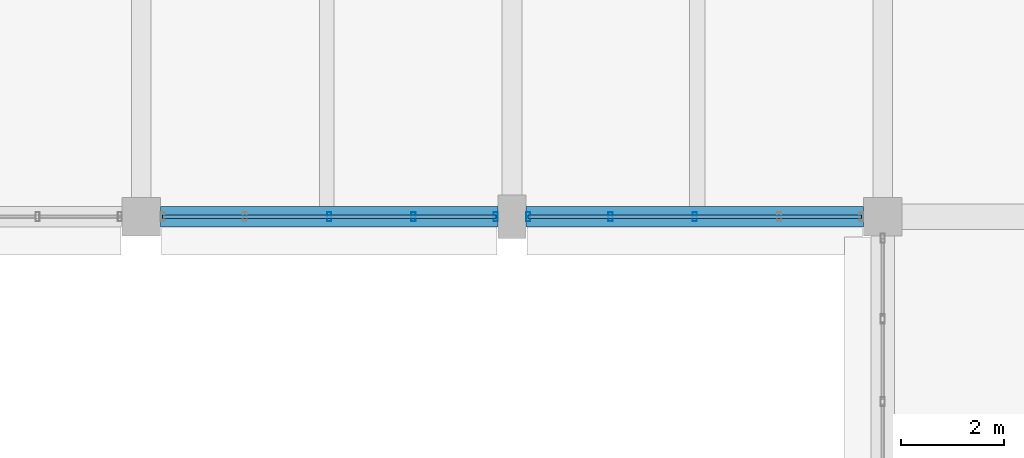
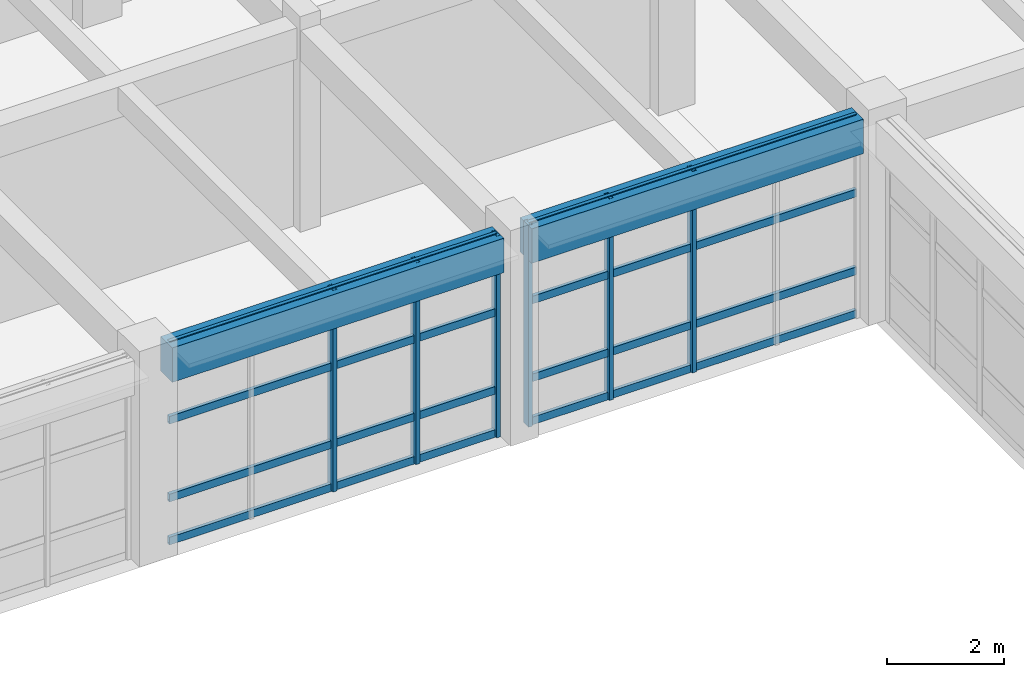
# One storey, part 77 of 171: 14 members, 2 beams, 2 elements without a shape of their own.
"""IFC4 building model written with IfcOpenShell, lengths in metres."""

from ifc_helpers import new_model, si_unit, direction, frame, origin, origin_2d, place, context, subcontext, project, spatial, rectangle, hollow_rectangle, extrude, material, material_profile, profile_set, type_object, element, aggregate, save


model = new_model("IFC4")

# Units and contexts
model_context = context("Model", 3, precision=1e-05, world=origin(), true_north=direction((0.0, 1.0)))
body_context = subcontext(model_context, "Body", "Model", "MODEL_VIEW")
ifc_project = project(units=[si_unit("LENGTHUNIT", "METRE"), si_unit("AREAUNIT", "SQUARE_METRE"), si_unit("VOLUMEUNIT", "CUBIC_METRE"), si_unit("PLANEANGLEUNIT", "RADIAN"), si_unit("MASSUNIT", "GRAM", prefix="KILO")], contexts=[model_context])

# Site, building, storey
site_placement = place(None, origin())
site = spatial("IfcSite", under=ifc_project, at=site_placement, CompositionType="ELEMENT")
building_placement = place(site_placement, origin())
building = spatial("IfcBuilding", under=site, at=building_placement, Name="Thalmaran Polytechnic", CompositionType="ELEMENT")
storey_placement = place(building_placement, frame((0.0, 0.0, 5.39990234375)))
storey = spatial("IfcBuildingStorey", under=building, at=storey_placement, Name="L01", CompositionType="ELEMENT", Elevation=5.39990234375)

# Beams
ifc_material_1 = material(Name="Concrete C40/50", Category="concrete")
ifc_material_profile_1 = material_profile(ifc_material_1, rectangle(XDim=0.39990234375, YDim=0.719970703125, at=origin_2d()), Name="RC 400x720")
ifc_profile_set_1 = profile_set([ifc_material_profile_1], Name="Concrete C40/50")
beam_type = type_object("IfcBeamType", Name="BM-SP01", PredefinedType="SPANDREL", material=ifc_profile_set_1)
for number, where, z_axis, x_axis, name in (
    (1, (115.574951171875, 93.60009765625, 3.85009765625), (1.0, 0.0, 0.0), (0.0, 1.0, 0.0), "Grid Beam SP01 L01 X(16,13)"),
    (2, (122.675048828125, 93.60009765625, 3.85009765625), (1.0, 0.0, 0.0), (0.0, 1.0, 0.0), "Grid Beam SP01 L01 X(17,13)"),
):
    element("IfcBeam", number, at=place(storey_placement, frame(where, z_axis=z_axis, x_axis=x_axis)), inside=storey, type_object=beam_type, Name=name, PredefinedType="SPANDREL", context=body_context, shape_type="SweptSolid", body=[
        extrude(rectangle(XDim=0.39990234375, YDim=0.719970703125, at=origin_2d()), origin(), (0.0, 0.0, 1.0), 6.550048828125),
    ])

# Curtain wall, members
ifc_material_2 = material(Name="Aluminium 6063-T6", Category="aluminium")
curtain_wall_type = type_object("IfcCurtainWallType", Name="CW-UC02", PredefinedType="USERDEFINED", material=ifc_material_2)
curtain_wall_1_placement = place(storey_placement, origin())
curtain_wall_1 = element("IfcCurtainWall", 3, at=curtain_wall_1_placement, inside=storey, type_object=curtain_wall_type, Name="Curtain Wall CW-L01-185", ObjectType="UNITISED CURTAIN WALL", PredefinedType="USERDEFINED")
ifc_material_profile_2 = material_profile(ifc_material_2, hollow_rectangle(XDim=0.080078125, YDim=0.179931640625, WallThickness=0.0048828125, at=origin_2d()), Name="RHS 180x80x5.0")
ifc_profile_set_2 = profile_set([ifc_material_profile_2], Name="Aluminium 6063-T6")
member_type_1 = type_object("IfcMemberType", Name="CW-MUL1", PredefinedType="MULLION", material=ifc_profile_set_2)
member_1_placement = place(storey_placement, frame((125.949951171875, 93.60009765625, 0.0), z_axis=(0.0, 0.0, 1.0), x_axis=(1.0, 0.0, 0.0)))
member_1 = element("IfcMember", 4, at=member_1_placement, type_object=member_type_1, Name="CW-L01-185 Mullion 3", PredefinedType="MULLION", context=body_context, shape_type="SweptSolid", body=[
    extrude(hollow_rectangle(XDim=0.080078125, YDim=0.179931640625, WallThickness=0.0048828125, at=origin_2d()), origin(), (0.0, 0.0, 1.0), 4.210205078125),
])
member_2_placement = place(storey_placement, frame((124.3125, 93.60009765625, 0.0), z_axis=(0.0, 0.0, 1.0), x_axis=(1.0, 0.0, 0.0)))
member_2 = element("IfcMember", 5, at=member_2_placement, type_object=member_type_1, Name="CW-L01-185 Mullion 4", PredefinedType="MULLION", context=body_context, shape_type="SweptSolid", body=[
    extrude(hollow_rectangle(XDim=0.080078125, YDim=0.179931640625, WallThickness=0.0048828125, at=origin_2d()), origin(), (0.0, 0.0, 1.0), 4.210205078125),
])
member_3_placement = place(storey_placement, frame((122.715087890625, 93.60009765625, 0.0), z_axis=(0.0, 0.0, 1.0), x_axis=(1.0, 0.0, 0.0)))
member_3 = element("IfcMember", 6, at=member_3_placement, type_object=member_type_1, Name="CW-L01-185 Mullion 5", PredefinedType="MULLION", context=body_context, shape_type="SweptSolid", body=[
    extrude(hollow_rectangle(XDim=0.080078125, YDim=0.179931640625, WallThickness=0.0048828125, at=origin_2d()), origin(), (0.0, 0.0, 1.0), 4.210205078125),
])

curtain_wall_2_placement = place(storey_placement, origin())
curtain_wall_2 = element("IfcCurtainWall", 7, at=curtain_wall_2_placement, inside=storey, type_object=curtain_wall_type, Name="Curtain Wall CW-L01-186", ObjectType="UNITISED CURTAIN WALL", PredefinedType="USERDEFINED")
member_4_placement = place(storey_placement, frame((122.0849609375, 93.60009765625, 0.0), z_axis=(0.0, 0.0, 1.0), x_axis=(1.0, 0.0, 0.0)))
member_4 = element("IfcMember", 8, at=member_4_placement, type_object=member_type_1, Name="CW-L01-186 Mullion 1", PredefinedType="MULLION", context=body_context, shape_type="SweptSolid", body=[
    extrude(hollow_rectangle(XDim=0.080078125, YDim=0.179931640625, WallThickness=0.0048828125, at=origin_2d()), origin(), (0.0, 0.0, 1.0), 4.210205078125),
])
member_5_placement = place(storey_placement, frame((120.487548828125, 93.60009765625, 0.0), z_axis=(0.0, 0.0, 1.0), x_axis=(1.0, 0.0, 0.0)))
member_5 = element("IfcMember", 9, at=member_5_placement, type_object=member_type_1, Name="CW-L01-186 Mullion 2", PredefinedType="MULLION", context=body_context, shape_type="SweptSolid", body=[
    extrude(hollow_rectangle(XDim=0.080078125, YDim=0.179931640625, WallThickness=0.0048828125, at=origin_2d()), origin(), (0.0, 0.0, 1.0), 4.210205078125),
])
member_6_placement = place(storey_placement, frame((118.85009765625, 93.60009765625, 0.0), z_axis=(0.0, 0.0, 1.0), x_axis=(1.0, 0.0, 0.0)))
member_6 = element("IfcMember", 10, at=member_6_placement, type_object=member_type_1, Name="CW-L01-186 Mullion 3", PredefinedType="MULLION", context=body_context, shape_type="SweptSolid", body=[
    extrude(hollow_rectangle(XDim=0.080078125, YDim=0.179931640625, WallThickness=0.0048828125, at=origin_2d()), origin(), (0.0, 0.0, 1.0), 4.210205078125),
])

# Member
ifc_material_profile_3 = material_profile(ifc_material_2, hollow_rectangle(XDim=0.070068359375, YDim=0.159912109375, WallThickness=0.00390625, at=origin_2d()), Name="AL 160x70x4.0")
ifc_profile_set_3 = profile_set([ifc_material_profile_3], Name="Aluminium 6063-T6")
member_type_2 = type_object("IfcMemberType", Name="CW-TRN1", PredefinedType="USERDEFINED", material=ifc_profile_set_3)
member_7_placement = place(storey_placement, frame((129.18505859375, 93.60009765625, 0.06005859375), z_axis=(-1.0, 0.0, 0.0), x_axis=(0.0, -1.0, 0.0)))
member_7 = element("IfcMember", 11, at=member_7_placement, type_object=member_type_2, Name="CW-L01-185 Transom 1", ObjectType="TRANSOM", PredefinedType="USERDEFINED", context=body_context, shape_type="SweptSolid", body=[
    extrude(hollow_rectangle(XDim=0.070068359375, YDim=0.159912109375, WallThickness=0.00390625, at=origin_2d()), origin(), (0.0, 0.0, 1.0), 6.469970703125),
])

member_8_placement = place(storey_placement, frame((129.18505859375, 93.60009765625, 0.960205078125), z_axis=(-1.0, 0.0, 0.0), x_axis=(0.0, -1.0, 0.0)))
member_8 = element("IfcMember", 12, at=member_8_placement, type_object=member_type_2, Name="CW-L01-185 Transom 2", ObjectType="TRANSOM", PredefinedType="USERDEFINED", context=body_context, shape_type="SweptSolid", body=[
    extrude(hollow_rectangle(XDim=0.070068359375, YDim=0.159912109375, WallThickness=0.00390625, at=origin_2d()), origin(), (0.0, 0.0, 1.0), 6.469970703125),
])

member_9_placement = place(storey_placement, frame((129.18505859375, 93.60009765625, 2.585205078125), z_axis=(-1.0, 0.0, 0.0), x_axis=(0.0, -1.0, 0.0)))
member_9 = element("IfcMember", 13, at=member_9_placement, type_object=member_type_2, Name="CW-L01-185 Transom 3", ObjectType="TRANSOM", PredefinedType="USERDEFINED", context=body_context, shape_type="SweptSolid", body=[
    extrude(hollow_rectangle(XDim=0.070068359375, YDim=0.159912109375, WallThickness=0.00390625, at=origin_2d()), origin(), (0.0, 0.0, 1.0), 6.469970703125),
])

member_10_placement = place(storey_placement, frame((129.18505859375, 93.60009765625, 4.150146484375), z_axis=(-1.0, 0.0, 0.0), x_axis=(0.0, -1.0, 0.0)))
member_10 = element("IfcMember", 14, at=member_10_placement, type_object=member_type_2, Name="CW-L01-185 Transom 4", ObjectType="TRANSOM", PredefinedType="USERDEFINED", context=body_context, shape_type="SweptSolid", body=[
    extrude(hollow_rectangle(XDim=0.070068359375, YDim=0.159912109375, WallThickness=0.00390625, at=origin_2d()), origin(), (0.0, 0.0, 1.0), 6.469970703125),
])

aggregate(curtain_wall_1, [member_1, member_2, member_3, member_7, member_8, member_9, member_10])

member_11_placement = place(storey_placement, frame((122.0849609375, 93.60009765625, 0.06005859375), z_axis=(-1.0, 0.0, 0.0), x_axis=(0.0, -1.0, 0.0)))
member_11 = element("IfcMember", 15, at=member_11_placement, type_object=member_type_2, Name="CW-L01-186 Transom 1", ObjectType="TRANSOM", PredefinedType="USERDEFINED", context=body_context, shape_type="SweptSolid", body=[
    extrude(hollow_rectangle(XDim=0.070068359375, YDim=0.159912109375, WallThickness=0.00390625, at=origin_2d()), origin(), (0.0, 0.0, 1.0), 6.469970703125),
])

member_12_placement = place(storey_placement, frame((122.0849609375, 93.60009765625, 0.960205078125), z_axis=(-1.0, 0.0, 0.0), x_axis=(0.0, -1.0, 0.0)))
member_12 = element("IfcMember", 16, at=member_12_placement, type_object=member_type_2, Name="CW-L01-186 Transom 2", ObjectType="TRANSOM", PredefinedType="USERDEFINED", context=body_context, shape_type="SweptSolid", body=[
    extrude(hollow_rectangle(XDim=0.070068359375, YDim=0.159912109375, WallThickness=0.00390625, at=origin_2d()), origin(), (0.0, 0.0, 1.0), 6.469970703125),
])

member_13_placement = place(storey_placement, frame((122.0849609375, 93.60009765625, 2.585205078125), z_axis=(-1.0, 0.0, 0.0), x_axis=(0.0, -1.0, 0.0)))
member_13 = element("IfcMember", 17, at=member_13_placement, type_object=member_type_2, Name="CW-L01-186 Transom 3", ObjectType="TRANSOM", PredefinedType="USERDEFINED", context=body_context, shape_type="SweptSolid", body=[
    extrude(hollow_rectangle(XDim=0.070068359375, YDim=0.159912109375, WallThickness=0.00390625, at=origin_2d()), origin(), (0.0, 0.0, 1.0), 6.469970703125),
])

member_14_placement = place(storey_placement, frame((122.0849609375, 93.60009765625, 4.150146484375), z_axis=(-1.0, 0.0, 0.0), x_axis=(0.0, -1.0, 0.0)))
member_14 = element("IfcMember", 18, at=member_14_placement, type_object=member_type_2, Name="CW-L01-186 Transom 4", ObjectType="TRANSOM", PredefinedType="USERDEFINED", context=body_context, shape_type="SweptSolid", body=[
    extrude(hollow_rectangle(XDim=0.070068359375, YDim=0.159912109375, WallThickness=0.00390625, at=origin_2d()), origin(), (0.0, 0.0, 1.0), 6.469970703125),
])

aggregate(curtain_wall_2, [member_4, member_5, member_6, member_11, member_12, member_13, member_14])

save(model, "model.ifc")
